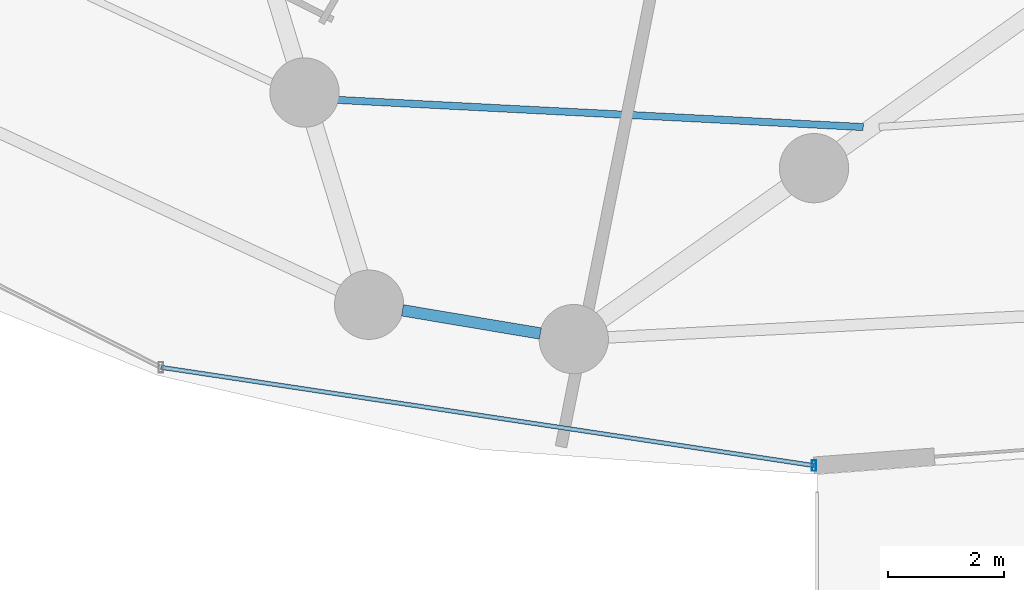
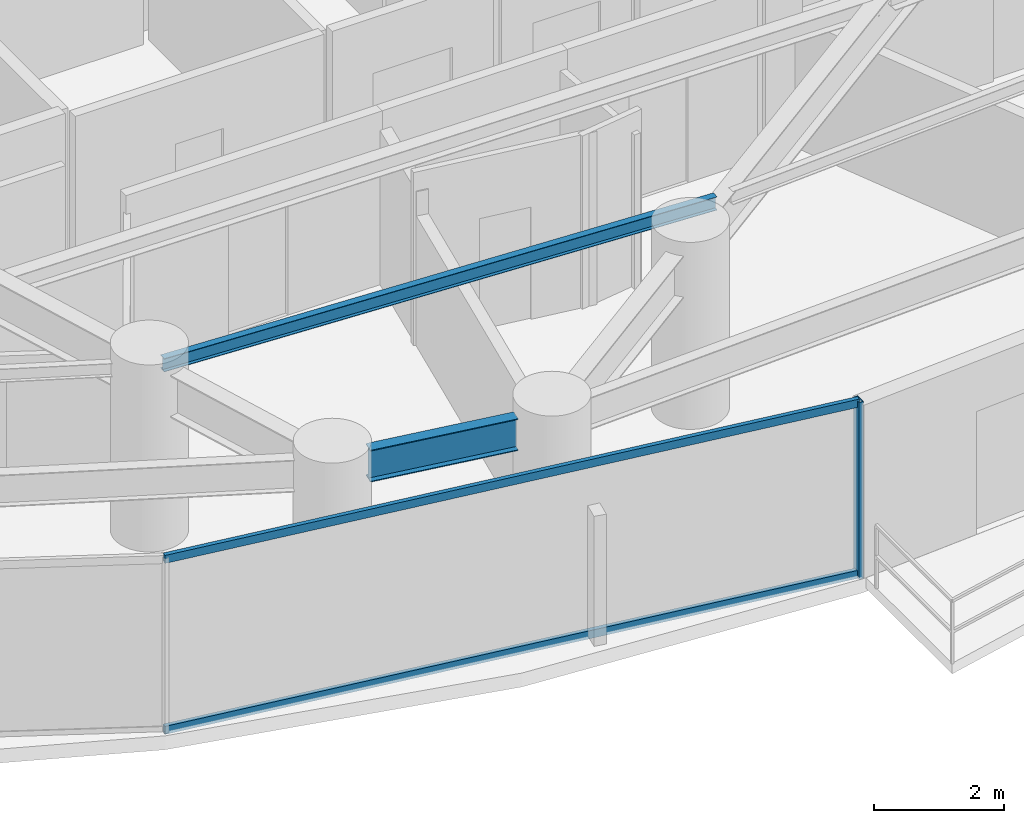
# One storey, part 6 of 35: 3 members, 2 beams, 1 element without a shape of its own.
"""IFC4 building model written with IfcOpenShell, lengths in metres."""

import ifcopenshell
import ifcopenshell.guid

model = None  # the IFC model being written
_history = None  # IfcOwnerHistory: only IFC2X3 demands one
_inside = {}  # id of a spatial element -> (the spatial element, [elements in it])
_under = {}  # id of a project, library or spatial element -> (it, [spatial elements below it])
_declared = {}  # id of a project -> (the project, [libraries it declares])
_typed = {}  # id of a type object -> (the type object, [elements of that type])
_made_of = {}  # id of a material, layer set ... -> (it, [elements and type objects made of it])


def new_model(schema):
    """Start an empty IFC model of exactly this schema.

    Asked for "IFC4X3", IfcOpenShell would pick the latest addendum, in which some entities
    have other attributes; the version numbers below select the first issue.
    IFC2X3 requires an IfcOwnerHistory on every rooted entity: one is made here for all.
    """
    global model, _history
    if schema == "IFC4X3":
        model = ifcopenshell.file(schema_version=(4, 3, 0, 0))
    else:
        model = ifcopenshell.file(schema=schema)
    _inside.clear()
    _under.clear()
    _declared.clear()
    _typed.clear()
    _made_of.clear()
    _history = None
    if model.schema == "IFC2X3":
        org = make("IfcOrganization", Name="unknown")
        user = make(
            "IfcPersonAndOrganization",
            ThePerson=make("IfcPerson", FamilyName="unknown"),
            TheOrganization=org,
        )
        app = make(
            "IfcApplication",
            ApplicationDeveloper=org,
            Version="unknown",
            ApplicationFullName="unknown",
            ApplicationIdentifier="unknown",
        )
        _history = make(
            "IfcOwnerHistory",
            OwningUser=user,
            OwningApplication=app,
            ChangeAction="ADDED",
            CreationDate=0,
        )
    return model


def make(cls, **values):
    """One entity of the class cls with the attributes given. An attribute that is None is left unset."""
    return model.create_entity(
        cls, **{name: value for name, value in values.items() if value is not None}
    )


def rooted(cls, **values):
    """An entity with a GlobalId (a new one), such as an element, a storey or a relation."""
    return make(cls, GlobalId=ifcopenshell.guid.new(), OwnerHistory=_history, **values)


def si_unit(unit_type, name, prefix=None):
    """IfcSIUnit, for example si_unit("LENGTHUNIT", "METRE", prefix="MILLI")."""
    return make("IfcSIUnit", UnitType=unit_type, Prefix=prefix, Name=name)


def assignment(units):
    """IfcUnitAssignment: the units of a project."""
    return None if units is None else make("IfcUnitAssignment", Units=units)


def point(xyz):
    """IfcCartesianPoint."""
    return None if xyz is None else make("IfcCartesianPoint", Coordinates=xyz)


def direction(xyz):
    """IfcDirection."""
    return None if xyz is None else make("IfcDirection", DirectionRatios=xyz)


def frame(location, z_axis=None, x_axis=None):
    """IfcAxis2Placement3D, a coordinate frame: its origin and axes. An axis left out is left unset."""
    return make(
        "IfcAxis2Placement3D",
        Location=point(location),
        Axis=direction(z_axis),
        RefDirection=direction(x_axis),
    )


def frame_2d(location, x_axis=None):
    """IfcAxis2Placement2D, a coordinate frame in the plane: its origin and x axis."""
    return make(
        "IfcAxis2Placement2D", Location=point(location), RefDirection=direction(x_axis)
    )


def origin():
    """The frame at (0, 0, 0) with its axes left unset."""
    return frame((0.0, 0.0, 0.0))


def origin_2d():
    """The frame at (0, 0) in the plane with its x axis left unset."""
    return frame_2d((0.0, 0.0))


def place(relative_to, where):
    """IfcLocalPlacement: puts the frame where relative to a parent placement (None: the world)."""
    return make(
        "IfcLocalPlacement", PlacementRelTo=relative_to, RelativePlacement=where
    )


def context(
    kind, dimensions, precision=None, world=None, true_north=None, identifier=None
):
    """IfcGeometricRepresentationContext, for example the 3D "Model" context."""
    return make(
        "IfcGeometricRepresentationContext",
        ContextIdentifier=identifier,
        ContextType=kind,
        CoordinateSpaceDimension=dimensions,
        Precision=precision,
        WorldCoordinateSystem=world,
        TrueNorth=true_north,
    )


def subcontext(parent, identifier, kind, view, scale=None):
    """IfcGeometricRepresentationSubContext, for example "Body" below "Model"."""
    return make(
        "IfcGeometricRepresentationSubContext",
        ContextIdentifier=identifier,
        ContextType=kind,
        ParentContext=parent,
        TargetScale=scale,
        TargetView=view,
    )


def project(units=None, contexts=None):
    """IfcProject with its units and contexts."""
    return rooted(
        "IfcProject",
        Name="project",
        RepresentationContexts=contexts,
        UnitsInContext=assignment(units),
    )


def spatial(cls, under=None, at=None, **own):
    """A site, building, storey or space (cls), placed at a placement, below another one or the project."""
    s = rooted(cls, ObjectPlacement=at, **own)
    if under is not None:
        _under.setdefault(under.id(), (under, []))[1].append(s)
    return s


def profile(cls, at=None, kind="AREA", **sizes):
    """A parametric profile (cls). Its sizes go by their IFC names, for example OverallWidth=200.0."""
    return make(cls, ProfileType=kind, Position=at, **sizes)


def hollow_rectangle(**sizes):
    """IfcRectangleHollowProfileDef."""
    return profile("IfcRectangleHollowProfileDef", **sizes)


def i_section(**sizes):
    """IfcIShapeProfileDef."""
    return profile("IfcIShapeProfileDef", **sizes)


def extrude(swept, where, along, depth):
    """IfcExtrudedAreaSolid: the profile swept, set in the frame where, extruded along a direction by depth."""
    return make(
        "IfcExtrudedAreaSolid",
        SweptArea=swept,
        Position=where,
        ExtrudedDirection=direction(along),
        Depth=depth,
    )


def shape(context_of_items, identifier, shape_type, items):
    """IfcShapeRepresentation: the items that make up one representation, for example the "Body"."""
    return make(
        "IfcShapeRepresentation",
        ContextOfItems=context_of_items,
        RepresentationIdentifier=identifier,
        RepresentationType=shape_type,
        Items=items,
    )


def material(Name=None, Category=None):
    """IfcMaterial."""
    return make("IfcMaterial", Name=Name, Category=Category)


def material_profile(
    of_material, cross_section, Name=None, Category=None, Priority=None
):
    """IfcMaterialProfile: a cross section and its material."""
    return make(
        "IfcMaterialProfile",
        Name=Name,
        Material=of_material,
        Profile=cross_section,
        Priority=Priority,
        Category=Category,
    )


def profile_set(profiles, Name=None, composite=None):
    """IfcMaterialProfileSet."""
    return make(
        "IfcMaterialProfileSet",
        Name=Name,
        MaterialProfiles=profiles,
        CompositeProfile=composite,
    )


def made_of(thing, what):
    """Note that an element or type object is made of a material, layer set ...; save() writes the relation."""
    if what is not None:
        _made_of.setdefault(what.id(), (what, []))[1].append(thing)
    return thing


def type_object(cls, material=None, **own):
    """A type object (cls), such as IfcWallType, which elements share."""
    return made_of(rooted(cls, **own), material)


def element(
    cls,
    number,
    at=None,
    inside=None,
    cuts=None,
    type_object=None,
    material=None,
    context=None,
    identifier="Body",
    shape_type=None,
    held_by="IfcProductDefinitionShape",
    body=None,
    shapes=None,
    **own,
):
    """One element of the class cls, such as IfcWall. Its Tag is "e" and its number.

    at: its placement. inside: the storey or other place that contains it. cuts: it is an
    opening in that element (IfcRelVoidsElement). A single representation is given by context,
    identifier, shape_type and body (its items); several are given by shapes. held_by: the class
    of the entity that holds the representations. save() writes the other relations.
    """
    e = rooted(cls, Tag="e%d" % number, ObjectPlacement=at, **own)
    if body is not None:
        shapes = [shape(context, identifier, shape_type, body)]
    if shapes is not None:
        e.Representation = make(held_by, Representations=shapes)
    if inside is not None:
        _inside.setdefault(inside.id(), (inside, []))[1].append(e)
    if cuts is not None:
        rooted(
            "IfcRelVoidsElement", RelatingBuildingElement=cuts, RelatedOpeningElement=e
        )
    if type_object is not None:
        _typed.setdefault(type_object.id(), (type_object, []))[1].append(e)
    return made_of(e, material)


def aggregate(whole, parts):
    """IfcRelAggregates: a whole, such as a stair, and the parts it consists of."""
    return rooted("IfcRelAggregates", RelatingObject=whole, RelatedObjects=parts)


def save(model, path):
    """Write the relations noted so far, then the file.

    IfcRelAggregates (storeys below a building ...), IfcRelContainedInSpatialStructure (elements
    in a storey), IfcRelDefinesByType, IfcRelAssociatesMaterial and IfcRelDeclares: one each for
    every whole, place, type object, material and project.
    """
    for whole, parts in _under.values():
        aggregate(whole, parts)
    for where, things in _inside.values():
        rooted(
            "IfcRelContainedInSpatialStructure",
            RelatedElements=things,
            RelatingStructure=where,
        )
    for kind, things in _typed.values():
        rooted("IfcRelDefinesByType", RelatedObjects=things, RelatingType=kind)
    for what, things in _made_of.values():
        rooted("IfcRelAssociatesMaterial", RelatedObjects=things, RelatingMaterial=what)
    for by, libraries in _declared.values():
        rooted("IfcRelDeclares", RelatingContext=by, RelatedDefinitions=libraries)
    model.write(path)


model = new_model("IFC4")

# Units and contexts
model_context = context("Model", 3, precision=1e-05, world=origin(), true_north=direction((0.0, 1.0)))
body_context = subcontext(model_context, "Body", "Model", "MODEL_VIEW")
ifc_project = project(units=[si_unit("LENGTHUNIT", "METRE"), si_unit("AREAUNIT", "SQUARE_METRE"), si_unit("VOLUMEUNIT", "CUBIC_METRE"), si_unit("PLANEANGLEUNIT", "RADIAN"), si_unit("MASSUNIT", "GRAM", prefix="KILO")], contexts=[model_context])

# Site, building, storey
site_placement = place(None, origin())
site = spatial("IfcSite", under=ifc_project, at=site_placement, CompositionType="ELEMENT")
building_placement = place(site_placement, origin())
building = spatial("IfcBuilding", under=site, at=building_placement, Name="Vorneva Point Tower", CompositionType="ELEMENT")
storey_placement = place(building_placement, frame((0.0, 0.0, 48.5)))
storey = spatial("IfcBuildingStorey", under=building, at=storey_placement, Name="L12", CompositionType="ELEMENT", Elevation=48.5)

# Beams
ifc_material_1 = material(Name="Steel S355", Category="steel")
ifc_material_profile_1 = material_profile(ifc_material_1, i_section(OverallWidth=0.1240234375, OverallDepth=0.248046875, WebThickness=0.0048828125, FlangeThickness=0.008056640625, at=origin_2d()), Name="25B1")
ifc_profile_set_1 = profile_set([ifc_material_profile_1], Name="Steel S355")
beam_type_1 = type_object("IfcBeamType", Name="BM-JST-25B1", PredefinedType="JOIST", material=ifc_profile_set_1)
beam_1_placement = place(storey_placement, frame((29.347412109375, 10.00244140625, 3.115966796875), z_axis=(0.998669908434, -0.051559809821, 0.0), x_axis=(0.051559809821, 0.998669908434, 0.0)))
element("IfcBeam", 1, at=beam_1_placement, inside=storey, type_object=beam_type_1, Name="L12 Secondary Floor Beam 1.12", PredefinedType="JOIST", context=body_context, shape_type="SweptSolid", body=[
    extrude(i_section(OverallWidth=0.1240234375, OverallDepth=0.248046875, WebThickness=0.0048828125, FlangeThickness=0.008056640625, at=origin_2d()), origin(), (0.0, 0.0, 1.0), 9.517578125),
])
ifc_material_profile_2 = material_profile(ifc_material_1, i_section(OverallWidth=0.198974609375, OverallDepth=0.595947265625, WebThickness=0.010009765625, FlangeThickness=0.014892578125, at=origin_2d()), Name="60B1")
ifc_profile_set_2 = profile_set([ifc_material_profile_2], Name="Steel S355")
beam_type_2 = type_object("IfcBeamType", Name="BM-SPN-60B1", PredefinedType="SPANDREL", material=ifc_profile_set_2)
beam_2_placement = place(storey_placement, frame((30.873779296875, 6.33837890625, 2.94189453125), z_axis=(0.986169723711, -0.165738577391, 0.0), x_axis=(0.165738577391, 0.986169723711, 0.0)))
element("IfcBeam", 2, at=beam_2_placement, inside=storey, type_object=beam_type_2, Name="L12 Perimeter Spandrel Ring Beam 12", PredefinedType="SPANDREL", context=body_context, shape_type="SweptSolid", body=[
    extrude(i_section(OverallWidth=0.198974609375, OverallDepth=0.595947265625, WebThickness=0.010009765625, FlangeThickness=0.014892578125, at=origin_2d()), origin(), (0.0, 0.0, 1.0), 2.423095703125),
])

# Curtain wall, members
ifc_material_2 = material(Name="Pale anodised aluminium", Category="aluminium")
curtain_wall_type = type_object("IfcCurtainWallType", Name="CW-HTL-SYS", PredefinedType="NOTDEFINED", material=ifc_material_2)
curtain_wall_placement = place(storey_placement, origin())
curtain_wall = element("IfcCurtainWall", 3, at=curtain_wall_placement, inside=storey, type_object=curtain_wall_type, Name="L12 Unitised Curtain Wall CW-L12-R04", PredefinedType="NOTDEFINED")
ifc_material_profile_3 = material_profile(ifc_material_2, hollow_rectangle(XDim=0.074951171875, YDim=0.179931640625, WallThickness=0.00390625, at=origin_2d()), Name="AL-MUL 180x75x4")
ifc_profile_set_3 = profile_set([ifc_material_profile_3], Name="Pale anodised aluminium")
member_type_1 = type_object("IfcMemberType", Name="CW-MUL-180", PredefinedType="MULLION", material=ifc_profile_set_3)
member_1_placement = place(storey_placement, frame((38.0, 3.64990234375, -0.0400390625), z_axis=(0.0, 0.0, 1.0), x_axis=(1.0, 0.0, 0.0)))
member_1 = element("IfcMember", 4, at=member_1_placement, type_object=member_type_1, Name="CW-L12-R04 Mullion 03", PredefinedType="MULLION", context=body_context, shape_type="SweptSolid", body=[
    extrude(hollow_rectangle(XDim=0.074951171875, YDim=0.179931640625, WallThickness=0.00390625, at=origin_2d()), origin(), (0.0, 0.0, 1.0), 3.31005859375),
])
ifc_material_profile_4 = material_profile(ifc_material_2, hollow_rectangle(XDim=0.074951171875, YDim=0.14990234375, WallThickness=0.00390625, at=origin_2d()), Name="AL-TRN 150x75x4")
ifc_profile_set_4 = profile_set([ifc_material_profile_4], Name="Pale anodised aluminium")
member_type_2 = type_object("IfcMemberType", Name="CW-TRN-150", PredefinedType="USERDEFINED", material=ifc_profile_set_4)
member_2_placement = place(storey_placement, frame((26.691650390625, 5.351318359375, 0.02001953125), z_axis=(0.988870014575, -0.148782036131, 0.0), x_axis=(0.148782036131, 0.988870014575, 0.0)))
member_2 = element("IfcMember", 5, at=member_2_placement, type_object=member_type_2, Name="CW-L12-R04 Transom 02.1", ObjectType="TRANSOM", PredefinedType="USERDEFINED", context=body_context, shape_type="SweptSolid", body=[
    extrude(hollow_rectangle(XDim=0.074951171875, YDim=0.14990234375, WallThickness=0.00390625, at=origin_2d()), origin(), (0.0, 0.0, 1.0), 11.435546875),
])
member_3_placement = place(storey_placement, frame((26.691650390625, 5.351318359375, 3.219970703125), z_axis=(0.988870014575, -0.148782036131, 0.0), x_axis=(0.148782036131, 0.988870014575, 0.0)))
member_3 = element("IfcMember", 6, at=member_3_placement, type_object=member_type_2, Name="CW-L12-R04 Transom 02.2", ObjectType="TRANSOM", PredefinedType="USERDEFINED", context=body_context, shape_type="SweptSolid", body=[
    extrude(hollow_rectangle(XDim=0.074951171875, YDim=0.14990234375, WallThickness=0.00390625, at=origin_2d()), origin(), (0.0, 0.0, 1.0), 11.435546875),
])
aggregate(curtain_wall, [member_1, member_2, member_3])

save(model, "model.ifc")
